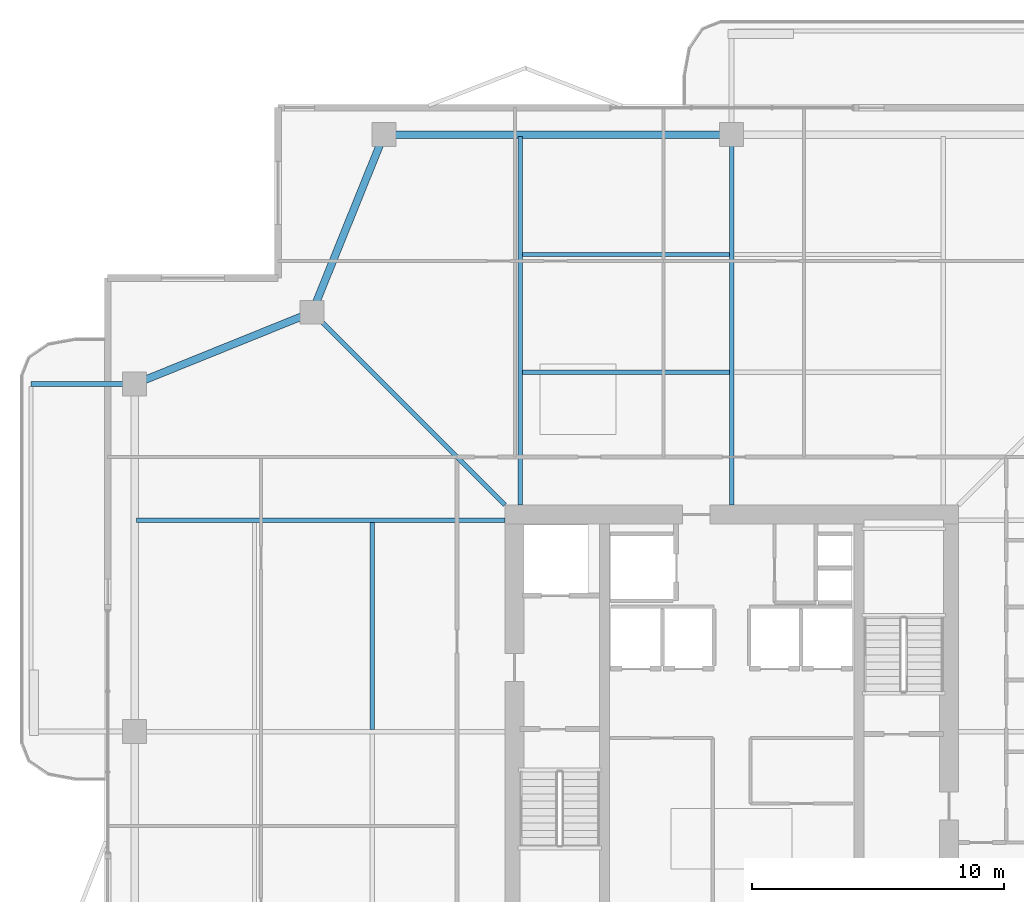
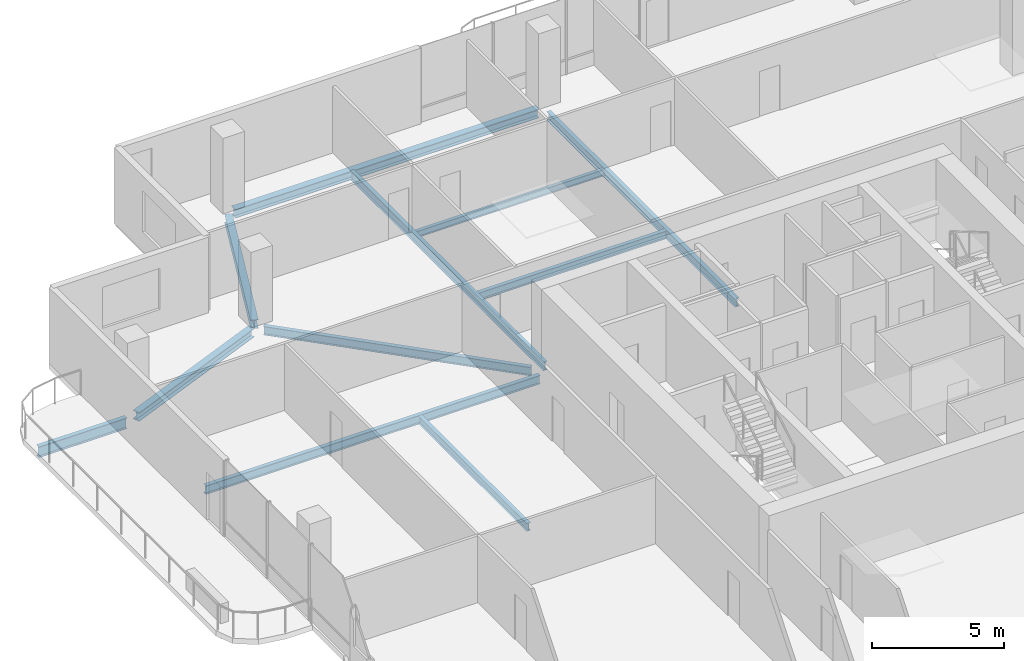
# One storey, part 12 of 25: 11 beams.
"""IFC4 building model written with IfcOpenShell, lengths in metres."""

from ifc_helpers import new_model, si_unit, direction, frame, origin, origin_2d, place, context, subcontext, project, spatial, i_section, extrude, material, material_profile, profile_set, type_object, element, save


model = new_model("IFC4")

# Units and contexts
model_context = context("Model", 3, precision=1e-05, world=origin(), true_north=direction((0.0, 1.0)))
body_context = subcontext(model_context, "Body", "Model", "MODEL_VIEW")
ifc_project = project(units=[si_unit("LENGTHUNIT", "METRE"), si_unit("AREAUNIT", "SQUARE_METRE"), si_unit("VOLUMEUNIT", "CUBIC_METRE"), si_unit("PLANEANGLEUNIT", "RADIAN"), si_unit("MASSUNIT", "GRAM", prefix="KILO")], contexts=[model_context])

# Site, building, storey
site_placement = place(None, origin())
site = spatial("IfcSite", under=ifc_project, at=site_placement, CompositionType="ELEMENT")
building_placement = place(site_placement, origin())
building = spatial("IfcBuilding", under=site, at=building_placement, Name="Belovzor Exchange Tower", CompositionType="ELEMENT")
storey_placement = place(building_placement, frame((0.0, 0.0, 254.10009765625)))
storey = spatial("IfcBuildingStorey", under=building, at=storey_placement, Name="L63", CompositionType="ELEMENT", Elevation=254.10009765625)

# Beams
ifc_material_1 = material(Name="Steel S355", Category="steel")
ifc_material_profile_1 = material_profile(ifc_material_1, i_section(OverallWidth=0.199951171875, OverallDepth=0.5, WebThickness=0.01025390625, FlangeThickness=0.01611328125, at=origin_2d()))
ifc_profile_set_1 = profile_set([ifc_material_profile_1], Name="Steel S355")
beam_type_1 = type_object("IfcBeamType", Name="Planted Balcony Cantilever Beam IPE 500", PredefinedType="BEAM", material=ifc_profile_set_1)
beam_1_placement = place(storey_placement, frame((4.839111328125, 42.60009765625, -0.5), z_axis=(-1.0, 0.0, 0.0), x_axis=(0.0, -1.0, 0.0)))
element("IfcBeam", 1, at=beam_1_placement, inside=storey, type_object=beam_type_1, Name="BC-500 Planted Balcony Cantilever Beam IPE 500", PredefinedType="BEAM", context=body_context, shape_type="SweptSolid", body=[
    extrude(i_section(OverallWidth=0.199951171875, OverallDepth=0.5, WebThickness=0.01025390625, FlangeThickness=0.01611328125, at=origin_2d()), origin(), (0.0, 0.0, 1.0), 3.85009765625),
])
ifc_material_2 = material(Name="Steel S355", Category="steel")
ifc_material_profile_2 = material_profile(ifc_material_2, i_section(OverallWidth=0.169921875, OverallDepth=0.360107421875, WebThickness=0.008056640625, FlangeThickness=0.0126953125, at=origin_2d()))
ifc_profile_set_2 = profile_set([ifc_material_profile_2], Name="Steel S355")
beam_type_2 = type_object("IfcBeamType", Name="Secondary Infill Floor Joist IPE 360", PredefinedType="BEAM", material=ifc_profile_set_2)
beam_2_placement = place(storey_placement, frame((20.489990234375, 43.06494140625, -0.43017578125), z_axis=(1.0, 0.0, 0.0), x_axis=(0.0, 1.0, 0.0)))
element("IfcBeam", 2, at=beam_2_placement, inside=storey, type_object=beam_type_2, Name="FJ-360 Secondary Infill Floor Joist IPE 360", PredefinedType="BEAM", context=body_context, shape_type="SweptSolid", body=[
    extrude(i_section(OverallWidth=0.169921875, OverallDepth=0.360107421875, WebThickness=0.008056640625, FlangeThickness=0.0126953125, at=origin_2d()), origin(), (0.0, 0.0, 1.0), 8.219970703125),
])
beam_3_placement = place(storey_placement, frame((14.534912109375, 28.889892578125, -0.43017578125), z_axis=(0.0, 1.0, 0.0), x_axis=(-1.0, 0.0, 0.0)))
element("IfcBeam", 3, at=beam_3_placement, inside=storey, type_object=beam_type_2, Name="FJ-360 Secondary Infill Floor Joist IPE 360", PredefinedType="BEAM", context=body_context, shape_type="SweptSolid", body=[
    extrude(i_section(OverallWidth=0.169921875, OverallDepth=0.360107421875, WebThickness=0.008056640625, FlangeThickness=0.0126953125, at=origin_2d()), origin(), (0.0, 0.0, 1.0), 8.22021484375),
])
ifc_material_3 = material(Name="Steel S355", Category="steel")
ifc_material_profile_3 = material_profile(ifc_material_3, i_section(OverallWidth=0.14990234375, OverallDepth=0.300048828125, WebThickness=0.007080078125, FlangeThickness=0.0107421875, at=origin_2d()))
ifc_profile_set_3 = profile_set([ifc_material_profile_3], Name="Steel S355")
beam_type_3 = type_object("IfcBeamType", Name="Secondary Trim Floor Joist IPE 300", PredefinedType="BEAM", material=ifc_profile_set_3)
beam_4_placement = place(storey_placement, frame((20.489990234375, 47.7451171875, -0.400146484375), z_axis=(1.0, 0.0, 0.0), x_axis=(0.0, 1.0, 0.0)))
element("IfcBeam", 4, at=beam_4_placement, inside=storey, type_object=beam_type_3, Name="FJ-300 Secondary Trim Floor Joist IPE 300", PredefinedType="BEAM", context=body_context, shape_type="SweptSolid", body=[
    extrude(i_section(OverallWidth=0.14990234375, OverallDepth=0.300048828125, WebThickness=0.007080078125, FlangeThickness=0.0107421875, at=origin_2d()), origin(), (0.0, 0.0, 1.0), 8.219970703125),
])
ifc_material_4 = material(Name="Steel S355", Category="steel")
ifc_material_profile_4 = material_profile(ifc_material_4, i_section(OverallWidth=0.300048828125, OverallDepth=0.39990234375, WebThickness=0.013427734375, FlangeThickness=0.02392578125, at=origin_2d()))
ifc_profile_set_4 = profile_set([ifc_material_profile_4], Name="Steel S355")
beam_type_4 = type_object("IfcBeamType", Name="Zone 5 Primary Girder HEB 400", PredefinedType="BEAM", material=ifc_profile_set_4)
beam_5_placement = place(storey_placement, frame((28.5390625, 52.5, -0.4501953125), z_axis=(-1.0, 0.0, 0.0), x_axis=(0.0, -1.0, 0.0)))
element("IfcBeam", 5, at=beam_5_placement, inside=storey, type_object=beam_type_4, Name="FG-Z5 Zone 5 Primary Girder HEB 400", PredefinedType="BEAM", context=body_context, shape_type="SweptSolid", body=[
    extrude(i_section(OverallWidth=0.300048828125, OverallDepth=0.39990234375, WebThickness=0.013427734375, FlangeThickness=0.02392578125, at=origin_2d()), origin(), (0.0, 0.0, 1.0), 13.278076171875),
])
beam_6_placement = place(storey_placement, frame((14.902099609375, 52.258056640625, -0.4501953125), z_axis=(-0.374746306278, -0.927127394661, 0.0), x_axis=(0.927127394661, -0.374746306278, 0.0)))
element("IfcBeam", 6, at=beam_6_placement, inside=storey, type_object=beam_type_4, Name="FG-Z5 Zone 5 Primary Girder HEB 400", PredefinedType="BEAM", context=body_context, shape_type="SweptSolid", body=[
    extrude(i_section(OverallWidth=0.300048828125, OverallDepth=0.39990234375, WebThickness=0.013427734375, FlangeThickness=0.02392578125, at=origin_2d()), origin(), (0.0, 0.0, 1.0), 7.082275390625),
])
beam_7_placement = place(storey_placement, frame((11.907958984375, 45.35205078125, -0.4501953125), z_axis=(-0.927122553345, -0.374758283536, 0.0), x_axis=(0.374758283536, -0.927122553345, 0.0)))
element("IfcBeam", 7, at=beam_7_placement, inside=storey, type_object=beam_type_4, Name="FG-Z5 Zone 5 Primary Girder HEB 400", PredefinedType="BEAM", context=body_context, shape_type="SweptSolid", body=[
    extrude(i_section(OverallWidth=0.300048828125, OverallDepth=0.39990234375, WebThickness=0.013427734375, FlangeThickness=0.02392578125, at=origin_2d()), origin(), (0.0, 0.0, 1.0), 7.08203125),
])
ifc_material_5 = material(Name="Steel S355", Category="steel")
ifc_material_profile_5 = material_profile(ifc_material_5, i_section(OverallWidth=0.179931640625, OverallDepth=0.39990234375, WebThickness=0.008544921875, FlangeThickness=0.013427734375, at=origin_2d()))
ifc_profile_set_5 = profile_set([ifc_material_profile_5], Name="Steel S355")
beam_type_5 = type_object("IfcBeamType", Name="Zone 5-6 Radial Composite Floor Beam IPE 400", PredefinedType="BEAM", material=ifc_profile_set_5)
beam_8_placement = place(storey_placement, frame((20.39990234375, 37.800048828125, -0.4501953125), z_axis=(0.0, 1.0, 0.0), x_axis=(-1.0, 0.0, 0.0)))
element("IfcBeam", 8, at=beam_8_placement, inside=storey, type_object=beam_type_5, Name="FB-400 Zone 5-6 Radial Composite Floor Beam IPE 400", PredefinedType="BEAM", context=body_context, shape_type="SweptSolid", body=[
    extrude(i_section(OverallWidth=0.179931640625, OverallDepth=0.39990234375, WebThickness=0.008544921875, FlangeThickness=0.013427734375, at=origin_2d()), origin(), (0.0, 0.0, 1.0), 14.625),
])
beam_9_placement = place(storey_placement, frame((28.800048828125, 37.800048828125, -0.4501953125), z_axis=(0.0, 1.0, 0.0), x_axis=(-1.0, 0.0, 0.0)))
element("IfcBeam", 9, at=beam_9_placement, inside=storey, type_object=beam_type_5, Name="FB-400 Zone 5-6 Radial Composite Floor Beam IPE 400", PredefinedType="BEAM", context=body_context, shape_type="SweptSolid", body=[
    extrude(i_section(OverallWidth=0.179931640625, OverallDepth=0.39990234375, WebThickness=0.008544921875, FlangeThickness=0.013427734375, at=origin_2d()), origin(), (0.0, 0.0, 1.0), 14.281982421875),
])
beam_10_placement = place(storey_placement, frame((19.800048828125, 37.199951171875, -0.4501953125), z_axis=(-1.0, 0.0, 0.0), x_axis=(0.0, -1.0, 0.0)))
element("IfcBeam", 10, at=beam_10_placement, inside=storey, type_object=beam_type_5, Name="FB-400 Zone 5-6 Radial Composite Floor Beam IPE 400", PredefinedType="BEAM", context=body_context, shape_type="SweptSolid", body=[
    extrude(i_section(OverallWidth=0.179931640625, OverallDepth=0.39990234375, WebThickness=0.008544921875, FlangeThickness=0.013427734375, at=origin_2d()), origin(), (0.0, 0.0, 1.0), 14.625),
])
beam_11_placement = place(storey_placement, frame((19.800048828125, 37.800048828125, -0.4501953125), z_axis=(-0.707071845944, 0.707141714703, 0.0), x_axis=(-0.707141714703, -0.707071845944, 0.0)))
element("IfcBeam", 11, at=beam_11_placement, inside=storey, type_object=beam_type_5, Name="FB-400 Zone 5-6 Radial Composite Floor Beam IPE 400", PredefinedType="BEAM", context=body_context, shape_type="SweptSolid", body=[
    extrude(i_section(OverallWidth=0.179931640625, OverallDepth=0.39990234375, WebThickness=0.008544921875, FlangeThickness=0.013427734375, at=origin_2d()), origin(), (0.0, 0.0, 1.0), 10.48291015625),
])

save(model, "model.ifc")
